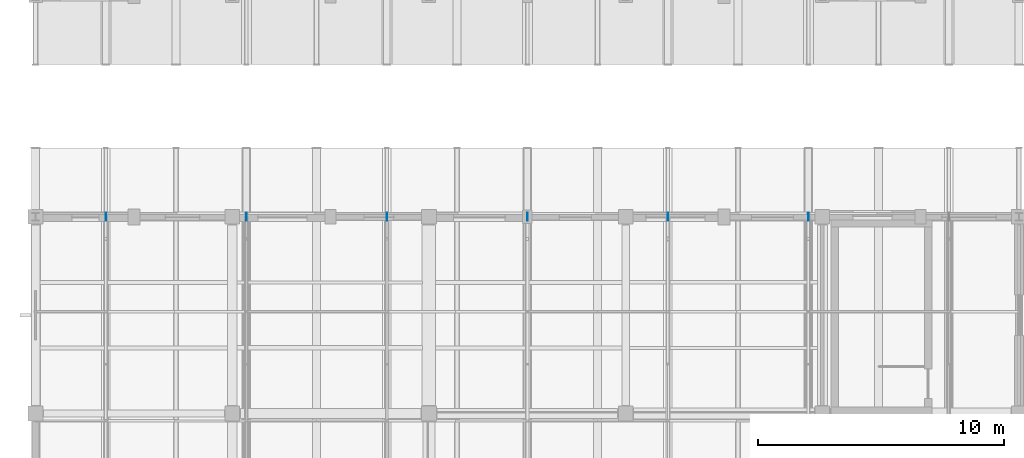
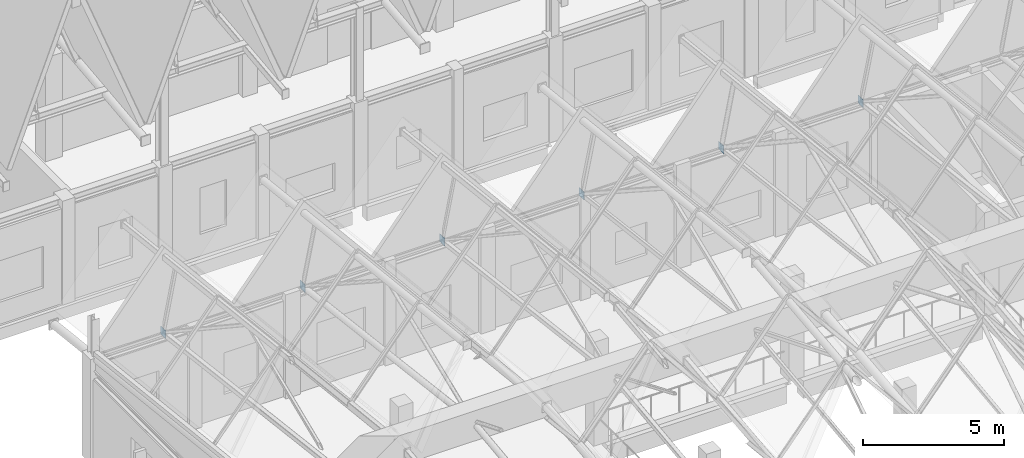
# One storey, part 31 of 77: 6 plates.
"""IFC4 building model written with IfcOpenShell, lengths in metres."""

from ifc_helpers import new_model, si_unit, direction, frame, origin, origin_2d, place, context, subcontext, project, spatial, rectangle, extrude, material, layer, layer_set, type_object, element, save


model = new_model("IFC4")

# Units and contexts
model_context = context("Model", 3, precision=1e-05, world=origin(), true_north=direction((0.0, 1.0)))
body_context = subcontext(model_context, "Body", "Model", "MODEL_VIEW")
ifc_project = project(units=[si_unit("LENGTHUNIT", "METRE"), si_unit("AREAUNIT", "SQUARE_METRE"), si_unit("VOLUMEUNIT", "CUBIC_METRE"), si_unit("PLANEANGLEUNIT", "RADIAN"), si_unit("MASSUNIT", "GRAM", prefix="KILO")], contexts=[model_context])

# Site, building, storey
site_placement = place(None, origin())
site = spatial("IfcSite", under=ifc_project, at=site_placement, CompositionType="ELEMENT")
building_placement = place(site_placement, origin())
building = spatial("IfcBuilding", under=site, at=building_placement, Name="Luwemba Playhouse", CompositionType="ELEMENT")
storey_placement = place(building_placement, frame((0.0, 0.0, 9.300048828125)))
storey = spatial("IfcBuildingStorey", under=building, at=storey_placement, Name="L02", CompositionType="ELEMENT", Elevation=9.300048828125)

# Plates
ifc_material = material(Name="Steel S355", Category="steel")
ifc_layer = layer(ifc_material, 0.01611328125)
ifc_layer_set = layer_set([ifc_layer], Name="Steel S355")
plate_type = type_object("IfcPlateType", Name="PLT-GP1", PredefinedType="USERDEFINED", material=ifc_layer_set)
for number, where, z_axis, x_axis, name in (
    (1, (6.857177734375, 27.0, 4.22998046875), (0.0, 0.0, 1.0), (1.0, 0.0, 0.0), "Truss node gusset cap plate 0114"),
    (2, (12.5712890625, 27.0, 4.22998046875), (0.0, 0.0, 1.0), (1.0, 0.0, 0.0), "Truss node gusset cap plate 0117"),
    (3, (18.28564453125, 27.0, 4.22998046875), (0.0, 0.0, 1.0), (1.0, 0.0, 0.0), "Truss node gusset cap plate 0120"),
    (4, (24.0, 27.0, 4.22998046875), (0.0, 0.0, 1.0), (1.0, 0.0, 0.0), "Truss node gusset cap plate 0123"),
    (5, (29.71435546875, 27.0, 4.22998046875), (0.0, 0.0, 1.0), (1.0, 0.0, 0.0), "Truss node gusset cap plate 0126"),
    (6, (35.4287109375, 27.0, 4.22998046875), (0.0, 0.0, 1.0), (1.0, 0.0, 0.0), "Truss node gusset cap plate 0129"),
):
    element("IfcPlate", number, at=place(storey_placement, frame(where, z_axis=z_axis, x_axis=x_axis)), inside=storey, type_object=plate_type, Name=name, ObjectType="GUSSET PLATE", PredefinedType="USERDEFINED", context=body_context, shape_type="SweptSolid", body=[
        extrude(rectangle(XDim=0.01611328125, YDim=0.340087890625, at=origin_2d()), origin(), (0.0, 0.0, 1.0), 0.340087890625),
    ])

save(model, "model.ifc")
